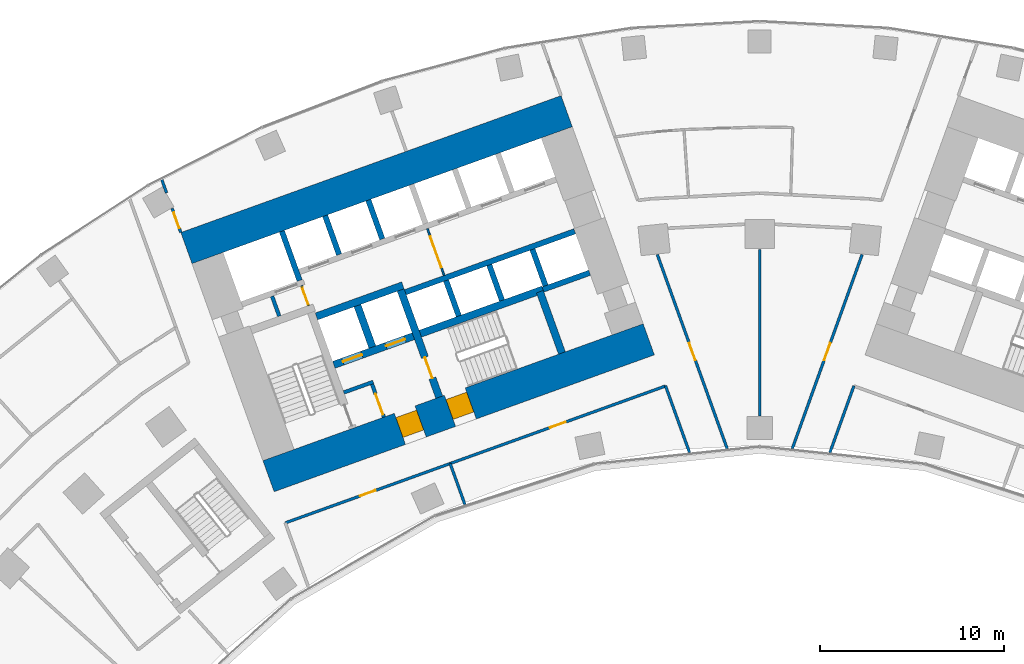
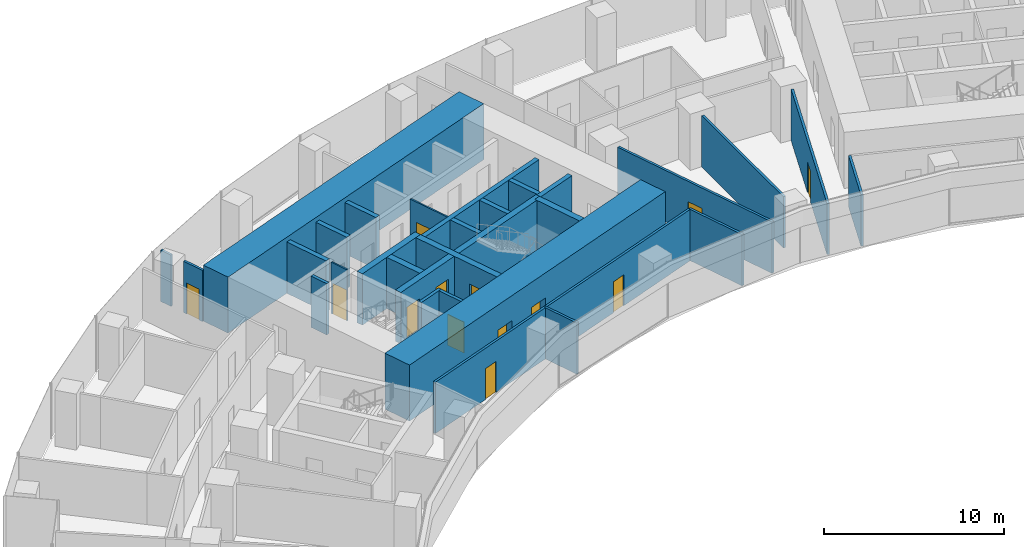
# One storey, part 15 of 21: 30 walls, 13 doors, 13 openings.
"""IFC4 building model written with IfcOpenShell, lengths in metres."""

from ifc_helpers import new_model, si_unit, direction, frame, frame_2d, origin, place, context, subcontext, project, spatial, rectangle, extrude, material, layer, layer_set, type_object, element, fill, save


model = new_model("IFC4")

# Units and contexts
model_context = context("Model", 3, precision=1e-05, world=origin(), true_north=direction((0.0, 1.0)))
body_context = subcontext(model_context, "Body", "Model", "MODEL_VIEW")
ifc_project = project(units=[si_unit("LENGTHUNIT", "METRE"), si_unit("AREAUNIT", "SQUARE_METRE"), si_unit("VOLUMEUNIT", "CUBIC_METRE"), si_unit("PLANEANGLEUNIT", "RADIAN"), si_unit("MASSUNIT", "GRAM", prefix="KILO")], contexts=[model_context])

# Site, building, storey
site_placement = place(None, origin())
site = spatial("IfcSite", under=ifc_project, at=site_placement, CompositionType="ELEMENT")
building_placement = place(site_placement, origin())
building = spatial("IfcBuilding", under=site, at=building_placement, Name="Stone Belt Terrace Tower", CompositionType="ELEMENT")
storey_placement = place(building_placement, frame((0.0, 0.0, 37.60009765625)))
storey = spatial("IfcBuildingStorey", under=building, at=storey_placement, Name="L08", CompositionType="ELEMENT", Elevation=37.60009765625)

# Wall, opening, door
ifc_material_1 = material(Name="Plasterboard partition")
ifc_layer_1 = layer(ifc_material_1, 0.10009765625)
ifc_layer_set_1 = layer_set([ifc_layer_1], Name="Core partition 100")
wall_type_1 = type_object("IfcWallType", Name="Core partition 100", PredefinedType="PARTITIONING", material=ifc_layer_set_1)
wall_1_placement = place(storey_placement, frame((-24.555908203125, 51.10400390625, 0.0), z_axis=(0.0, 0.0, 1.0), x_axis=(-0.338621735342, 0.94092258999, 0.0)))
wall_1 = element("IfcWall", 1, at=wall_1_placement, inside=storey, type_object=wall_type_1, Name="Core A wall", PredefinedType="PARTITIONING", context=body_context, shape_type="SweptSolid", body=[
    extrude(rectangle(XDim=1.14990234375, YDim=0.10009765625, at=frame_2d((0.574951171875, 0.0))), origin(), (0.0, 0.0, 1.0), 3.47998046875),
])
opening_1_placement = place(wall_1_placement, frame((0.050048828125, 0.0, 0.0)))
opening_1 = element("IfcOpeningElement", 2, at=opening_1_placement, cuts=wall_1, Name="Opening L08-C02", PredefinedType="OPENING", context=body_context, shape_type="SweptSolid", body=[
    extrude(rectangle(XDim=1.0, YDim=2.10009765625, at=frame_2d((0.5, 1.050048828125))), frame((0.0, 0.06005859375, 0.0), z_axis=(0.0, -1.0, 0.0), x_axis=(1.0, 0.0, 0.0)), (0.0, 0.0, 1.0), 0.1201171875),
])
ifc_material_2 = material(Name="Timber door leaf", Category="wood")
door_type_1 = type_object("IfcDoorType", Name="Core room door 1000", OperationType="SINGLE_SWING_LEFT", PredefinedType="DOOR", material=ifc_material_2)
door_1_placement = place(opening_1_placement, origin())
door_1 = element("IfcDoor", 3, at=door_1_placement, inside=storey, type_object=door_type_1, Name="Service lift lobby door core A", OperationType="SINGLE_SWING_LEFT", OverallHeight=2.10009765625, OverallWidth=1.0, PredefinedType="DOOR", context=body_context, shape_type="SweptSolid", body=[
    extrude(rectangle(XDim=1.0, YDim=2.10009765625, at=frame_2d((0.5, 1.050048828125))), frame((0.0, 0.02490234375, 0.0), z_axis=(0.0, -1.0, 0.0), x_axis=(1.0, 0.0, 0.0)), (0.0, 0.0, 1.0), 0.050048828125),
])
fill(opening_1, door_1)

wall_2_placement = place(storey_placement, frame((-17.17724609375, 52.749755859375, 0.0), z_axis=(0.0, 0.0, 1.0), x_axis=(-0.338546555931, 0.940949642365, 0.0)))
wall_2 = element("IfcWall", 4, at=wall_2_placement, inside=storey, type_object=wall_type_1, Name="Core A wall", PredefinedType="PARTITIONING", context=body_context, shape_type="SweptSolid", body=[
    extrude(rectangle(XDim=2.699951171875, YDim=0.10009765625, at=frame_2d((1.35009765625, 0.0))), origin(), (0.0, 0.0, 1.0), 3.47998046875),
])
opening_2_placement = place(wall_2_placement, frame((0.449951171875, 0.0, 0.0)))
opening_2 = element("IfcOpeningElement", 5, at=opening_2_placement, cuts=wall_2, Name="Opening L08-C03", PredefinedType="OPENING", context=body_context, shape_type="SweptSolid", body=[
    extrude(rectangle(XDim=1.800048828125, YDim=2.10009765625, at=frame_2d((0.89990234375, 1.050048828125))), frame((0.0, 0.06005859375, 0.0), z_axis=(0.0, -1.0, 0.0), x_axis=(1.0, 0.0, 0.0)), (0.0, 0.0, 1.0), 0.1201171875),
])
ifc_material_3 = material(Name="Glazed aluminium door leaf", Category="aluminium")
door_type_2 = type_object("IfcDoorType", Name="Lift lobby entrance door 1800", OperationType="DOUBLE_DOOR_SINGLE_SWING", PredefinedType="DOOR", material=ifc_material_3)
door_2_placement = place(opening_2_placement, origin())
door_2 = element("IfcDoor", 6, at=door_2_placement, inside=storey, type_object=door_type_2, Name="Lift lobby double door core A", OperationType="DOUBLE_DOOR_SINGLE_SWING", OverallHeight=2.10009765625, OverallWidth=1.800048828125, PredefinedType="DOOR", context=body_context, shape_type="SweptSolid", body=[
    extrude(rectangle(XDim=1.800048828125, YDim=2.10009765625, at=frame_2d((0.89990234375, 1.050048828125))), frame((0.0, 0.02490234375, 0.0), z_axis=(0.0, -1.0, 0.0), x_axis=(1.0, 0.0, 0.0)), (0.0, 0.0, 1.0), 0.050048828125),
])
fill(opening_2, door_2)

# Wall, openings, doors
ifc_material_4 = material(Name="Concrete B80", Category="concrete")
ifc_layer_2 = layer(ifc_material_4, 1.800048828125)
ifc_layer_set_2 = layer_set([ifc_layer_2], Name="Core wall 1800 B80")
wall_type_2 = type_object("IfcWallType", Name="Core wall 1800 B80", PredefinedType="SHEAR", material=ifc_layer_set_2)
wall_3_placement = place(storey_placement, frame((-26.739501953125, 41.815673828125, 0.0), z_axis=(0.0, 0.0, 1.0), x_axis=(0.940921642213, 0.338624368902, 0.0)))
wall_3 = element("IfcWall", 7, at=wall_3_placement, inside=storey, type_object=wall_type_2, Name="Core A wall concave L08", PredefinedType="SHEAR", context=body_context, shape_type="SweptSolid", body=[
    extrude(rectangle(XDim=22.0, YDim=1.800048828125, at=frame_2d((11.0, 0.0))), origin(), (0.0, 0.0, 1.0), 3.7998046875),
])
opening_3_placement = place(wall_3_placement, frame((7.60009765625, 0.0, 0.0)))
opening_3 = element("IfcOpeningElement", 8, at=opening_3_placement, cuts=wall_3, Name="Opening L08-C07", PredefinedType="OPENING", context=body_context, shape_type="SweptSolid", body=[
    extrude(rectangle(XDim=1.199951171875, YDim=2.10009765625, at=frame_2d((0.60009765625, 1.050048828125))), frame((0.0, 0.909912109375, 0.0), z_axis=(0.0, -1.0, 0.0), x_axis=(1.0, 0.0, 0.0)), (0.0, 0.0, 1.0), 1.820068359375),
])
opening_4_placement = place(wall_3_placement, frame((10.5, 0.0, 0.0)))
opening_4 = element("IfcOpeningElement", 9, at=opening_4_placement, cuts=wall_3, Name="Opening L08-C09", PredefinedType="OPENING", context=body_context, shape_type="SweptSolid", body=[
    extrude(rectangle(XDim=1.199951171875, YDim=2.10009765625, at=frame_2d((0.60009765625, 1.050048828125))), frame((0.0, 0.909912109375, 0.0), z_axis=(0.0, -1.0, 0.0), x_axis=(1.0, 0.0, 0.0)), (0.0, 0.0, 1.0), 1.820068359375),
])
ifc_material_5 = material(Name="Steel door leaf", Category="steel")
door_type_3 = type_object("IfcDoorType", Name="Fire-fighting lobby door 1200", OperationType="SINGLE_SWING_LEFT", PredefinedType="DOOR", material=ifc_material_5)
door_3_placement = place(opening_3_placement, origin())
door_3 = element("IfcDoor", 10, at=door_3_placement, inside=storey, type_object=door_type_3, Name="Fire-fighting lobby door core A", OperationType="SINGLE_SWING_LEFT", OverallHeight=2.10009765625, OverallWidth=1.199951171875, PredefinedType="DOOR", context=body_context, shape_type="SweptSolid", body=[
    extrude(rectangle(XDim=1.199951171875, YDim=2.10009765625, at=frame_2d((0.60009765625, 1.050048828125))), frame((0.0, 0.655029296875, 0.0), z_axis=(0.0, -1.0, 0.0), x_axis=(1.0, 0.0, 0.0)), (0.0, 0.0, 1.0), 1.14990234375),
])
fill(opening_3, door_3)
door_type_4 = type_object("IfcDoorType", Name="Stair door 1200", OperationType="SINGLE_SWING_LEFT", PredefinedType="DOOR", material=ifc_material_5)
door_4_placement = place(opening_4_placement, origin())
door_4 = element("IfcDoor", 11, at=door_4_placement, inside=storey, type_object=door_type_4, Name="Stair 2 exit door core A", OperationType="SINGLE_SWING_RIGHT", OverallHeight=2.10009765625, OverallWidth=1.199951171875, PredefinedType="DOOR", context=body_context, shape_type="SweptSolid", body=[
    extrude(rectangle(XDim=1.199951171875, YDim=2.10009765625, at=frame_2d((0.60009765625, 1.050048828125))), frame((0.0, 0.655029296875, 0.0), z_axis=(0.0, -1.0, 0.0), x_axis=(1.0, 0.0, 0.0)), (0.0, 0.0, 1.0), 1.14990234375),
])
fill(opening_4, door_4)

# Walls
wall_4_placement = place(storey_placement, frame((-31.20947265625, 54.23583984375, 0.0), z_axis=(0.0, 0.0, 1.0), x_axis=(0.940922914687, 0.338620833112, 0.0)))
element("IfcWall", 12, at=wall_4_placement, inside=storey, type_object=wall_type_2, Name="Core A wall convex L08", PredefinedType="SHEAR", context=body_context, shape_type="SweptSolid", body=[
    extrude(rectangle(XDim=22.000244140625, YDim=1.800048828125, at=frame_2d((11.0, 0.0))), origin(), (0.0, 0.0, 1.0), 3.7998046875),
])
ifc_layer_3 = layer(ifc_material_4, 0.39990234375)
ifc_layer_set_3 = layer_set([ifc_layer_3], Name="Fire-fighting lift shaft wall 400")
wall_type_3 = type_object("IfcWallType", Name="Fire-fighting lift shaft wall 400", PredefinedType="SHEAR", material=ifc_layer_set_3)
wall_5_placement = place(storey_placement, frame((-24.130615234375, 50.512939453125, 0.0), z_axis=(0.0, 0.0, 1.0), x_axis=(0.94091168377, 0.338652038744, 0.0)))
element("IfcWall", 13, at=wall_5_placement, inside=storey, type_object=wall_type_3, Name="Core A wall", PredefinedType="SHEAR", context=body_context, shape_type="SweptSolid", body=[
    extrude(rectangle(XDim=5.000244140625, YDim=0.39990234375, at=frame_2d((2.5, 0.0))), origin(), (0.0, 0.0, 1.0), 3.47998046875),
])
wall_6_placement = place(storey_placement, frame((-21.0859375, 48.845458984375, 0.0), z_axis=(0.0, 0.0, 1.0), x_axis=(-0.338629416206, 0.940919825745, 0.0)))
element("IfcWall", 14, at=wall_6_placement, inside=storey, type_object=wall_type_3, Name="Core A wall", PredefinedType="SHEAR", context=body_context, shape_type="SweptSolid", body=[
    extrude(rectangle(XDim=2.400146484375, YDim=0.39990234375, at=frame_2d((1.2001953125, 0.0))), origin(), (0.0, 0.0, 1.0), 3.47998046875),
])
ifc_layer_4 = layer(ifc_material_4, 0.300048828125)
ifc_layer_set_4 = layer_set([ifc_layer_4], Name="Lift shaft wall 300")
wall_type_4 = type_object("IfcWallType", Name="Lift shaft wall 300", PredefinedType="SHEAR", material=ifc_layer_set_4)
wall_7_placement = place(storey_placement, frame((-25.046875, 52.46826171875, 0.0), z_axis=(0.0, 0.0, 1.0), x_axis=(-0.338549588058, 0.940948551423, 0.0)))
element("IfcWall", 15, at=wall_7_placement, inside=storey, type_object=wall_type_4, Name="Core A wall", PredefinedType="SHEAR", context=body_context, shape_type="SweptSolid", body=[
    extrude(rectangle(XDim=2.849853515625, YDim=0.300048828125, at=frame_2d((1.4248046875, 0.0))), origin(), (0.0, 0.0, 1.0), 3.47998046875),
])
wall_8_placement = place(storey_placement, frame((-22.897705078125, 53.87939453125, 0.0), z_axis=(0.0, 0.0, 1.0), x_axis=(-0.338535034312, 0.940953787677, 0.0)))
element("IfcWall", 16, at=wall_8_placement, inside=storey, type_object=wall_type_4, Name="Core A wall", PredefinedType="SHEAR", context=body_context, shape_type="SweptSolid", body=[
    extrude(rectangle(XDim=2.25, YDim=0.300048828125, at=frame_2d((1.125, 0.0))), origin(), (0.0, 0.0, 1.0), 3.47998046875),
])
wall_9_placement = place(storey_placement, frame((-19.29052734375, 51.829833984375, 0.0), z_axis=(0.0, 0.0, 1.0), x_axis=(0.940925833398, 0.338612722803, 0.0)))
element("IfcWall", 17, at=wall_9_placement, inside=storey, type_object=wall_type_4, Name="Core A wall", PredefinedType="SHEAR", context=body_context, shape_type="SweptSolid", body=[
    extrude(rectangle(XDim=9.7998046875, YDim=0.300048828125, at=frame_2d((4.89990234375, 0.0))), origin(), (0.0, 0.0, 1.0), 3.47998046875),
])
wall_10_placement = place(storey_placement, frame((-20.54541015625, 54.72607421875, 0.0), z_axis=(0.0, 0.0, 1.0), x_axis=(-0.338569601369, 0.940941350472, 0.0)))
element("IfcWall", 18, at=wall_10_placement, inside=storey, type_object=wall_type_4, Name="Core A wall", PredefinedType="SHEAR", context=body_context, shape_type="SweptSolid", body=[
    extrude(rectangle(XDim=2.249755859375, YDim=0.300048828125, at=frame_2d((1.125, 0.0))), origin(), (0.0, 0.0, 1.0), 3.47998046875),
])
for number, where, z_axis, x_axis, name in (
    (19, (-16.38134765625, 50.53857421875, 0.0), (0.0, 0.0, 1.0), (-0.338681515556, 0.940901073982, 0.0), "Core A wall"),
    (20, (-14.029052734375, 51.38525390625, 0.0), (0.0, 0.0, 1.0), (-0.338681515556, 0.940901073982, 0.0), "Core A wall"),
):
    element("IfcWall", number, at=place(storey_placement, frame(where, z_axis=z_axis, x_axis=x_axis)), inside=storey, type_object=wall_type_4, Name=name, PredefinedType="SHEAR", context=body_context, shape_type="SweptSolid", body=[
        extrude(rectangle(XDim=2.050048828125, YDim=0.300048828125, at=frame_2d((1.02490234375, 0.0))), origin(), (0.0, 0.0, 1.0), 3.47998046875),
    ])
wall_11_placement = place(storey_placement, frame((-11.797119140625, 51.975830078125, 0.0), z_axis=(0.0, 0.0, 1.0), x_axis=(0.940910465161, 0.33865542451, 0.0)))
element("IfcWall", 21, at=wall_11_placement, inside=storey, type_object=wall_type_4, Name="Core A wall", PredefinedType="SHEAR", context=body_context, shape_type="SweptSolid", body=[
    extrude(rectangle(XDim=2.69970703125, YDim=0.300048828125, at=frame_2d((1.349853515625, 0.0))), origin(), (0.0, 0.0, 1.0), 3.47998046875),
])
wall_12_placement = place(storey_placement, frame((-11.659912109375, 52.184814453125, 0.0), z_axis=(0.0, 0.0, 1.0), x_axis=(-0.338670064856, 0.940905195634, 0.0)))
element("IfcWall", 22, at=wall_12_placement, inside=storey, type_object=wall_type_4, Name="Core A wall", PredefinedType="SHEAR", context=body_context, shape_type="SweptSolid", body=[
    extrude(rectangle(XDim=2.099853515625, YDim=0.300048828125, at=frame_2d((1.0498046875, 0.0))), origin(), (0.0, 0.0, 1.0), 3.47998046875),
])
ifc_material_6 = material(Name="Gypsum board partition")
ifc_layer_5 = layer(ifc_material_6, 0.14990234375)
ifc_layer_set_5 = layer_set([ifc_layer_5], Name="PARTITION 150 EI 60")
wall_type_5 = type_object("IfcWallType", Name="PARTITION 150 EI 60", PredefinedType="PARTITIONING", material=ifc_layer_set_5)
wall_13_placement = place(storey_placement, frame((-32.5458984375, 57.947998046875, 0.0), z_axis=(0.0, 0.0, 1.0), x_axis=(0.338960201827, -0.940800712998, 0.0)))
element("IfcWall", 23, at=wall_13_placement, inside=storey, type_object=wall_type_5, Name="L08/wall/i002", PredefinedType="PARTITIONING", context=body_context, shape_type="SweptSolid", body=[
    extrude(rectangle(XDim=0.754150390625, YDim=0.14990234375, at=frame_2d((0.376953125, 0.0))), origin(), (0.0, 0.0, 1.0), 3.47998046875),
])

# Wall, opening, door
wall_14_placement = place(storey_placement, frame((-31.98681640625, 56.39599609375, 0.0), z_axis=(0.0, 0.0, 1.0), x_axis=(0.338861945182, -0.940836107995, 0.0)))
wall_14 = element("IfcWall", 24, at=wall_14_placement, inside=storey, type_object=wall_type_5, Name="L08/wall/i003", PredefinedType="PARTITIONING", context=body_context, shape_type="SweptSolid", body=[
    extrude(rectangle(XDim=1.3955078125, YDim=0.14990234375, at=frame_2d((0.69775390625, 0.0))), origin(), (0.0, 0.0, 1.0), 3.47998046875),
])
opening_5_placement = place(wall_14_placement, frame((0.247802734375, 0.0, 0.0)))
opening_5 = element("IfcOpeningElement", 25, at=opening_5_placement, cuts=wall_14, Name="Opening D-A1b-03", PredefinedType="OPENING", context=body_context, shape_type="SweptSolid", body=[
    extrude(rectangle(XDim=0.89990234375, YDim=2.10009765625, at=frame_2d((0.449951171875, 1.050048828125))), frame((0.0, 0.0849609375, 0.0), z_axis=(0.0, -1.0, 0.0), x_axis=(1.0, 0.0, 0.0)), (0.0, 0.0, 1.0), 0.169921875),
])
door_type_5 = type_object("IfcDoorType", Name="OFFICE DOOR 900 X 2100", OperationType="NOTDEFINED", PredefinedType="DOOR", material=ifc_material_2)
door_5_placement = place(opening_5_placement, origin())
door_5 = element("IfcDoor", 26, at=door_5_placement, inside=storey, type_object=door_type_5, Name="L08/door/i03", OperationType="SINGLE_SWING_RIGHT", OverallHeight=2.10009765625, OverallWidth=0.89990234375, PredefinedType="DOOR", context=body_context, shape_type="SweptSolid", body=[
    extrude(rectangle(XDim=0.89990234375, YDim=2.10009765625, at=frame_2d((0.449951171875, 1.050048828125))), frame((0.0, 0.02490234375, 0.0), z_axis=(0.0, -1.0, 0.0), x_axis=(1.0, 0.0, 0.0)), (0.0, 0.0, 1.0), 0.050048828125),
])
fill(opening_5, door_5)

# Wall
wall_15_placement = place(storey_placement, frame((-3.819580078125, 43.0986328125, 0.0), z_axis=(0.0, 0.0, 1.0), x_axis=(-0.338659002829, 0.940909177234, 0.0)))
element("IfcWall", 27, at=wall_15_placement, inside=storey, type_object=wall_type_5, Name="L08/wall/i007", PredefinedType="PARTITIONING", context=body_context, shape_type="SweptSolid", body=[
    extrude(rectangle(XDim=3.8603515625, YDim=0.14990234375, at=frame_2d((1.93017578125, 0.0))), origin(), (0.0, 0.0, 1.0), 3.47998046875),
])

# Wall, opening, door
wall_16_placement = place(storey_placement, frame((-5.574951171875, 53.88232421875, 0.0), z_axis=(0.0, 0.0, 1.0), x_axis=(0.338622486498, -0.940922319662, 0.0)))
wall_16 = element("IfcWall", 28, at=wall_16_placement, inside=storey, type_object=wall_type_5, Name="L08/wall/i009", PredefinedType="PARTITIONING", context=body_context, shape_type="SweptSolid", body=[
    extrude(rectangle(XDim=11.232177734375, YDim=0.14990234375, at=frame_2d((5.6162109375, 0.0))), origin(), (0.0, 0.0, 1.0), 3.47998046875),
])
opening_6_placement = place(wall_16_placement, frame((5.1162109375, 0.0, 0.0)))
opening_6 = element("IfcOpeningElement", 29, at=opening_6_placement, cuts=wall_16, Name="Opening D-A1b-26", PredefinedType="OPENING", context=body_context, shape_type="SweptSolid", body=[
    extrude(rectangle(XDim=1.0, YDim=2.10009765625, at=frame_2d((0.5, 1.050048828125))), frame((0.0, 0.0849609375, 0.0), z_axis=(0.0, -1.0, 0.0), x_axis=(1.0, 0.0, 0.0)), (0.0, 0.0, 1.0), 0.169921875),
])
ifc_material_7 = material(Name="Timber fire door leaf", Category="wood")
door_type_6 = type_object("IfcDoorType", Name="TENANCY ENTRANCE DOOR 1000 X 2100", OperationType="NOTDEFINED", PredefinedType="DOOR", material=ifc_material_7)
door_6_placement = place(opening_6_placement, origin())
door_6 = element("IfcDoor", 30, at=door_6_placement, inside=storey, type_object=door_type_6, Name="L08/door/i26", OperationType="SINGLE_SWING_LEFT", OverallHeight=2.10009765625, OverallWidth=1.0, PredefinedType="DOOR", context=body_context, shape_type="SweptSolid", body=[
    extrude(rectangle(XDim=1.0, YDim=2.10009765625, at=frame_2d((0.5, 1.050048828125))), frame((0.0, 0.02490234375, 0.0), z_axis=(0.0, -1.0, 0.0), x_axis=(1.0, 0.0, 0.0)), (0.0, 0.0, 1.0), 0.050048828125),
])
fill(opening_6, door_6)

wall_17_placement = place(storey_placement, frame((-16.845947265625, 42.506103515625, 0.0), z_axis=(0.0, 0.0, 1.0), x_axis=(-0.940928824843, -0.338604410158, 0.0)))
wall_17 = element("IfcWall", 31, at=wall_17_placement, inside=storey, type_object=wall_type_5, Name="L08/wall/i012", PredefinedType="PARTITIONING", context=body_context, shape_type="SweptSolid", body=[
    extrude(rectangle(XDim=9.542724609375, YDim=0.14990234375, at=frame_2d((4.771484375, 0.0))), origin(), (0.0, 0.0, 1.0), 3.47998046875),
])
opening_7_placement = place(wall_17_placement, frame((4.3212890625, 0.0, 0.0)))
opening_7 = element("IfcOpeningElement", 32, at=opening_7_placement, cuts=wall_17, Name="Opening D-A1b-01", PredefinedType="OPENING", context=body_context, shape_type="SweptSolid", body=[
    extrude(rectangle(XDim=0.89990234375, YDim=2.10009765625, at=frame_2d((0.449951171875, 1.050048828125))), frame((0.0, 0.0849609375, 0.0), z_axis=(0.0, -1.0, 0.0), x_axis=(1.0, 0.0, 0.0)), (0.0, 0.0, 1.0), 0.169921875),
])
door_7_placement = place(opening_7_placement, origin())
door_7 = element("IfcDoor", 33, at=door_7_placement, inside=storey, type_object=door_type_5, Name="L08/door/i01", OperationType="SINGLE_SWING_RIGHT", OverallHeight=2.10009765625, OverallWidth=0.89990234375, PredefinedType="DOOR", context=body_context, shape_type="SweptSolid", body=[
    extrude(rectangle(XDim=0.89990234375, YDim=2.10009765625, at=frame_2d((0.449951171875, 1.050048828125))), frame((0.0, 0.02490234375, 0.0), z_axis=(0.0, -1.0, 0.0), x_axis=(1.0, 0.0, 0.0)), (0.0, 0.0, 1.0), 0.050048828125),
])
fill(opening_7, door_7)

wall_18_placement = place(storey_placement, frame((-5.125, 46.72509765625, 0.0), z_axis=(0.0, 0.0, 1.0), x_axis=(-0.940905380647, -0.338669550844, 0.0)))
wall_18 = element("IfcWall", 34, at=wall_18_placement, inside=storey, type_object=wall_type_5, Name="L08/wall/i013", PredefinedType="PARTITIONING", context=body_context, shape_type="SweptSolid", body=[
    extrude(rectangle(XDim=12.4697265625, YDim=0.14990234375, at=frame_2d((6.23486328125, 0.0))), origin(), (0.0, 0.0, 1.0), 3.47998046875),
])
opening_8_placement = place(wall_18_placement, frame((5.784912109375, 0.0, 0.0)))
opening_8 = element("IfcOpeningElement", 35, at=opening_8_placement, cuts=wall_18, Name="Opening D-A1b-02", PredefinedType="OPENING", context=body_context, shape_type="SweptSolid", body=[
    extrude(rectangle(XDim=0.89990234375, YDim=2.10009765625, at=frame_2d((0.449951171875, 1.050048828125))), frame((0.0, 0.0849609375, 0.0), z_axis=(0.0, -1.0, 0.0), x_axis=(1.0, 0.0, 0.0)), (0.0, 0.0, 1.0), 0.169921875),
])
door_8_placement = place(opening_8_placement, origin())
door_8 = element("IfcDoor", 36, at=door_8_placement, inside=storey, type_object=door_type_5, Name="L08/door/i02", OperationType="SINGLE_SWING_RIGHT", OverallHeight=2.10009765625, OverallWidth=0.89990234375, PredefinedType="DOOR", context=body_context, shape_type="SweptSolid", body=[
    extrude(rectangle(XDim=0.89990234375, YDim=2.10009765625, at=frame_2d((0.449951171875, 1.050048828125))), frame((0.0, 0.02490234375, 0.0), z_axis=(0.0, -1.0, 0.0), x_axis=(1.0, 0.0, 0.0)), (0.0, 0.0, 1.0), 0.050048828125),
])
fill(opening_8, door_8)

# Walls
wall_19_placement = place(storey_placement, frame((-16.85205078125, 42.50390625, 0.0), z_axis=(0.0, 0.0, 1.0), x_axis=(0.339029428556, -0.940775768487, 0.0)))
element("IfcWall", 37, at=wall_19_placement, inside=storey, type_object=wall_type_5, Name="L08/wall/i014", PredefinedType="PARTITIONING", context=body_context, shape_type="SweptSolid", body=[
    extrude(rectangle(XDim=2.37060546875, YDim=0.14990234375, at=frame_2d((1.185302734375, 0.0))), origin(), (0.0, 0.0, 1.0), 3.47998046875),
])
wall_20_placement = place(storey_placement, frame((5.126953125, 46.73095703125, 0.0), z_axis=(0.0, 0.0, 1.0), x_axis=(-0.338659002829, -0.940909177234, 0.0)))
element("IfcWall", 38, at=wall_20_placement, inside=storey, type_object=wall_type_5, Name="L08/wall/i016", PredefinedType="PARTITIONING", context=body_context, shape_type="SweptSolid", body=[
    extrude(rectangle(XDim=3.8603515625, YDim=0.14990234375, at=frame_2d((1.93017578125, 0.0))), origin(), (0.0, 0.0, 1.0), 3.47998046875),
])

# Wall, opening, door
wall_21_placement = place(storey_placement, frame((1.771484375, 43.313720703125, 0.0), z_axis=(0.0, 0.0, 1.0), x_axis=(0.338622486498, 0.940922319662, 0.0)))
wall_21 = element("IfcWall", 39, at=wall_21_placement, inside=storey, type_object=wall_type_5, Name="L08/wall/i018", PredefinedType="PARTITIONING", context=body_context, shape_type="SweptSolid", body=[
    extrude(rectangle(XDim=11.232177734375, YDim=0.14990234375, at=frame_2d((5.6162109375, 0.0))), origin(), (0.0, 0.0, 1.0), 3.47998046875),
])
opening_9_placement = place(wall_21_placement, frame((5.1162109375, 0.0, 0.0)))
opening_9 = element("IfcOpeningElement", 40, at=opening_9_placement, cuts=wall_21, Name="Opening D-A1b-27", PredefinedType="OPENING", context=body_context, shape_type="SweptSolid", body=[
    extrude(rectangle(XDim=1.0, YDim=2.10009765625, at=frame_2d((0.5, 1.050048828125))), frame((0.0, 0.0849609375, 0.0), z_axis=(0.0, -1.0, 0.0), x_axis=(1.0, 0.0, 0.0)), (0.0, 0.0, 1.0), 0.169921875),
])
door_9_placement = place(opening_9_placement, origin())
door_9 = element("IfcDoor", 41, at=door_9_placement, inside=storey, type_object=door_type_6, Name="L08/door/i27", OperationType="SINGLE_SWING_LEFT", OverallHeight=2.10009765625, OverallWidth=1.0, PredefinedType="DOOR", context=body_context, shape_type="SweptSolid", body=[
    extrude(rectangle(XDim=1.0, YDim=2.10009765625, at=frame_2d((0.5, 1.050048828125))), frame((0.0, 0.02490234375, 0.0), z_axis=(0.0, -1.0, 0.0), x_axis=(1.0, 0.0, 0.0)), (0.0, 0.0, 1.0), 0.050048828125),
])
fill(opening_9, door_9)

# Walls
wall_22_placement = place(storey_placement, frame((0.0, 54.169921875, 0.0), z_axis=(0.0, 0.0, 1.0), x_axis=(0.0, -1.0, 0.0)))
element("IfcWall", 42, at=wall_22_placement, inside=storey, type_object=wall_type_5, Name="L08/wall/i087", PredefinedType="PARTITIONING", context=body_context, shape_type="SweptSolid", body=[
    extrude(rectangle(XDim=9.06982421875, YDim=0.14990234375, at=frame_2d((4.534912109375, 0.0))), origin(), (0.0, 0.0, 1.0), 3.47998046875),
])
ifc_material_8 = material(Name="Concrete masonry block", Category="masonry")
ifc_layer_6 = layer(ifc_material_8, 0.199951171875)
ifc_layer_set_6 = layer_set([ifc_layer_6], Name="Rated lobby wall 200")
wall_type_6 = type_object("IfcWallType", Name="Rated lobby wall 200", PredefinedType="PARTITIONING", material=ifc_layer_set_6)
wall_23_placement = place(storey_placement, frame((-26.1552734375, 50.5283203125, 0.0), z_axis=(0.0, 0.0, 1.0), x_axis=(-0.338621735342, 0.94092258999, 0.0)))
element("IfcWall", 43, at=wall_23_placement, inside=storey, type_object=wall_type_6, Name="Core A wall", PredefinedType="PARTITIONING", context=body_context, shape_type="SweptSolid", body=[
    extrude(rectangle(XDim=1.14990234375, YDim=0.199951171875, at=frame_2d((0.574951171875, 0.0))), origin(), (0.0, 0.0, 1.0), 3.47998046875),
])
wall_24_placement = place(storey_placement, frame((-22.640625, 46.373046875, 0.0), z_axis=(0.0, 0.0, 1.0), x_axis=(0.940966110313, 0.338500781747, 0.0)))
element("IfcWall", 44, at=wall_24_placement, inside=storey, type_object=wall_type_6, Name="Core A wall", PredefinedType="PARTITIONING", context=body_context, shape_type="SweptSolid", body=[
    extrude(rectangle(XDim=1.699951171875, YDim=0.199951171875, at=frame_2d((0.85009765625, 0.0))), origin(), (0.0, 0.0, 1.0), 3.47998046875),
])

# Wall, opening, door
wall_25_placement = place(storey_placement, frame((-20.4580078125, 45.032958984375, 0.0), z_axis=(0.0, 0.0, 1.0), x_axis=(-0.338573865316, 0.940939816208, 0.0)))
wall_25 = element("IfcWall", 45, at=wall_25_placement, inside=storey, type_object=wall_type_6, Name="Core A wall", PredefinedType="PARTITIONING", context=body_context, shape_type="SweptSolid", body=[
    extrude(rectangle(XDim=1.900146484375, YDim=0.199951171875, at=frame_2d((0.9501953125, 0.0))), origin(), (0.0, 0.0, 1.0), 3.47998046875),
])
opening_10_placement = place(wall_25_placement, frame((0.14990234375, 0.0, 0.0)))
opening_10 = element("IfcOpeningElement", 46, at=opening_10_placement, cuts=wall_25, Name="Opening L08-C06", PredefinedType="OPENING", context=body_context, shape_type="SweptSolid", body=[
    extrude(rectangle(XDim=1.199951171875, YDim=2.10009765625, at=frame_2d((0.60009765625, 1.050048828125))), frame((0.0, 0.10986328125, 0.0), z_axis=(0.0, -1.0, 0.0), x_axis=(1.0, 0.0, 0.0)), (0.0, 0.0, 1.0), 0.219970703125),
])
door_10_placement = place(opening_10_placement, origin())
door_10 = element("IfcDoor", 47, at=door_10_placement, inside=storey, type_object=door_type_4, Name="Stair airlock door core A", OperationType="SINGLE_SWING_LEFT", OverallHeight=2.10009765625, OverallWidth=1.199951171875, PredefinedType="DOOR", context=body_context, shape_type="SweptSolid", body=[
    extrude(rectangle(XDim=1.199951171875, YDim=2.10009765625, at=frame_2d((0.60009765625, 1.050048828125))), frame((0.0, 0.02490234375, 0.0), z_axis=(0.0, -1.0, 0.0), x_axis=(1.0, 0.0, 0.0)), (0.0, 0.0, 1.0), 0.050048828125),
])
fill(opening_10, door_10)

# Wall, openings, doors
ifc_layer_7 = layer(ifc_material_4, 0.39990234375)
ifc_layer_set_7 = layer_set([ifc_layer_7], Name="Stair enclosure wall 400")
wall_type_7 = type_object("IfcWallType", Name="Stair enclosure wall 400", PredefinedType="SHEAR", material=ifc_layer_set_7)
wall_26_placement = place(storey_placement, frame((-23.182373046875, 47.87841796875, 0.0), z_axis=(0.0, 0.0, 1.0), x_axis=(0.940921101762, 0.338625870628, 0.0)))
wall_26 = element("IfcWall", 48, at=wall_26_placement, inside=storey, type_object=wall_type_7, Name="Core A wall", PredefinedType="SHEAR", context=body_context, shape_type="SweptSolid", body=[
    extrude(rectangle(XDim=12.10009765625, YDim=0.39990234375, at=frame_2d((6.050048828125, 0.0))), origin(), (0.0, 0.0, 1.0), 3.47998046875),
])
opening_11_placement = place(wall_26_placement, frame((0.52001953125, 0.0, 0.0)))
opening_11 = element("IfcOpeningElement", 49, at=opening_11_placement, cuts=wall_26, Name="Opening L08-LD07", PredefinedType="OPENING", context=body_context, shape_type="SweptSolid", body=[
    extrude(rectangle(XDim=1.10009765625, YDim=2.199951171875, at=frame_2d((0.550048828125, 1.10009765625))), frame((0.0, 0.2099609375, 0.0), z_axis=(0.0, -1.0, 0.0), x_axis=(1.0, 0.0, 0.0)), (0.0, 0.0, 1.0), 0.419921875),
])
opening_12_placement = place(wall_26_placement, frame((3.02001953125, 0.0, 0.0)))
opening_12 = element("IfcOpeningElement", 50, at=opening_12_placement, cuts=wall_26, Name="Opening L08-LD08", PredefinedType="OPENING", context=body_context, shape_type="SweptSolid", body=[
    extrude(rectangle(XDim=1.10009765625, YDim=2.199951171875, at=frame_2d((0.550048828125, 1.10009765625))), frame((0.0, 0.2099609375, 0.0), z_axis=(0.0, -1.0, 0.0), x_axis=(1.0, 0.0, 0.0)), (0.0, 0.0, 1.0), 0.419921875),
])
ifc_material_9 = material(Name="Stainless steel door leaf", Category="steel")
door_type_7 = type_object("IfcDoorType", Name="Landing door 1100", OperationType="SLIDING_TO_LEFT", PredefinedType="DOOR", material=ifc_material_9)
door_11_placement = place(opening_11_placement, origin())
door_11 = element("IfcDoor", 51, at=door_11_placement, inside=storey, type_object=door_type_7, Name="Landing door FF1 core A", OperationType="SLIDING_TO_LEFT", OverallHeight=2.199951171875, OverallWidth=1.10009765625, PredefinedType="DOOR", context=body_context, shape_type="SweptSolid", body=[
    extrude(rectangle(XDim=1.10009765625, YDim=2.199951171875, at=frame_2d((0.550048828125, 1.10009765625))), frame((0.0, 0.02490234375, 0.0), z_axis=(0.0, -1.0, 0.0), x_axis=(1.0, 0.0, 0.0)), (0.0, 0.0, 1.0), 0.050048828125),
])
fill(opening_11, door_11)
door_12_placement = place(opening_12_placement, origin())
door_12 = element("IfcDoor", 52, at=door_12_placement, inside=storey, type_object=door_type_7, Name="Landing door FF2 core A", OperationType="SLIDING_TO_LEFT", OverallHeight=2.199951171875, OverallWidth=1.10009765625, PredefinedType="DOOR", context=body_context, shape_type="SweptSolid", body=[
    extrude(rectangle(XDim=1.10009765625, YDim=2.199951171875, at=frame_2d((0.550048828125, 1.10009765625))), frame((0.0, 0.02490234375, 0.0), z_axis=(0.0, -1.0, 0.0), x_axis=(1.0, 0.0, 0.0)), (0.0, 0.0, 1.0), 0.050048828125),
])
fill(opening_12, door_12)

# Wall, opening, door
wall_27_placement = place(storey_placement, frame((-17.447021484375, 46.116455078125, 0.0), z_axis=(0.0, 0.0, 1.0), x_axis=(-0.33860791464, 0.940927563707, 0.0)))
wall_27 = element("IfcWall", 53, at=wall_27_placement, inside=storey, type_object=wall_type_7, Name="Core A wall", PredefinedType="SHEAR", context=body_context, shape_type="SweptSolid", body=[
    extrude(rectangle(XDim=6.199951171875, YDim=0.39990234375, at=frame_2d((3.10009765625, 0.0))), origin(), (0.0, 0.0, 1.0), 3.47998046875),
])
opening_13_placement = place(wall_27_placement, frame((1.10009765625, 0.0, 0.0)))
opening_13 = element("IfcOpeningElement", 54, at=opening_13_placement, cuts=wall_27, Name="Opening L08-C08", PredefinedType="OPENING", context=body_context, shape_type="SweptSolid", body=[
    extrude(rectangle(XDim=1.199951171875, YDim=2.10009765625, at=frame_2d((0.60009765625, 1.050048828125))), frame((0.0, 0.2099609375, 0.0), z_axis=(0.0, -1.0, 0.0), x_axis=(1.0, 0.0, 0.0)), (0.0, 0.0, 1.0), 0.419921875),
])
door_13_placement = place(opening_13_placement, origin())
door_13 = element("IfcDoor", 55, at=door_13_placement, inside=storey, type_object=door_type_4, Name="Stair 2 door core A", OperationType="SINGLE_SWING_LEFT", OverallHeight=2.10009765625, OverallWidth=1.199951171875, PredefinedType="DOOR", context=body_context, shape_type="SweptSolid", body=[
    extrude(rectangle(XDim=1.199951171875, YDim=2.10009765625, at=frame_2d((0.60009765625, 1.050048828125))), frame((0.0, 0.02490234375, 0.0), z_axis=(0.0, -1.0, 0.0), x_axis=(1.0, 0.0, 0.0)), (0.0, 0.0, 1.0), 0.050048828125),
])
fill(opening_13, door_13)

# Wall
wall_28_placement = place(storey_placement, frame((-10.766357421875, 48.520751953125, 0.0), z_axis=(0.0, 0.0, 1.0), x_axis=(-0.338626928157, 0.94092072117, 0.0)))
element("IfcWall", 56, at=wall_28_placement, inside=storey, type_object=wall_type_7, Name="Core A wall", PredefinedType="SHEAR", context=body_context, shape_type="SweptSolid", body=[
    extrude(rectangle(XDim=3.550048828125, YDim=0.39990234375, at=frame_2d((1.77490234375, 0.0))), origin(), (0.0, 0.0, 1.0), 3.47998046875),
])

save(model, "model.ifc")
